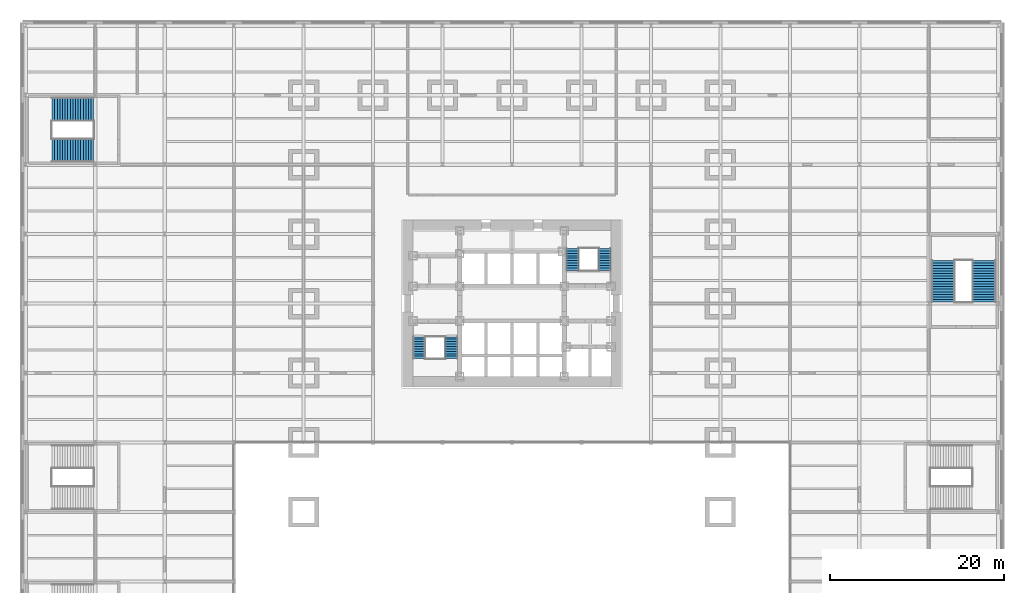
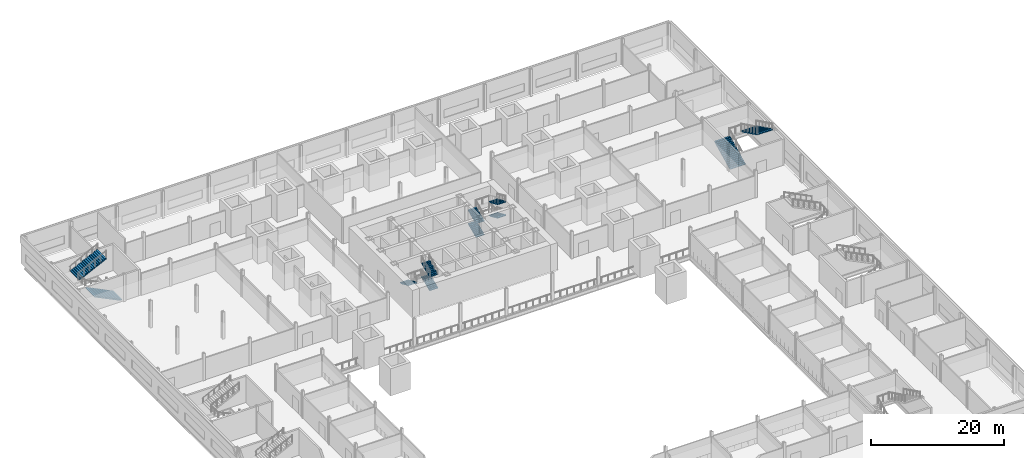
# One storey, part 17 of 22: 11 stair flights, 4 elements without a shape of their own.
"""IFC4 building model written with IfcOpenShell, lengths in metres."""

from ifc_helpers import new_model, si_unit, direction, frame, origin, place, context, subcontext, project, spatial, polyline, outline, extrude, material, type_object, element, aggregate, save


model = new_model("IFC4")

# Units and contexts
model_context = context("Model", 3, precision=1e-05, world=origin(), true_north=direction((0.0, 1.0)))
body_context = subcontext(model_context, "Body", "Model", "MODEL_VIEW")
ifc_project = project(units=[si_unit("LENGTHUNIT", "METRE"), si_unit("AREAUNIT", "SQUARE_METRE"), si_unit("VOLUMEUNIT", "CUBIC_METRE"), si_unit("PLANEANGLEUNIT", "RADIAN"), si_unit("MASSUNIT", "GRAM", prefix="KILO")], contexts=[model_context])

# Site, building, storey
site_placement = place(None, origin())
site = spatial("IfcSite", under=ifc_project, at=site_placement, CompositionType="ELEMENT")
building_placement = place(site_placement, origin())
building = spatial("IfcBuilding", under=site, at=building_placement, Name="Daluyong Arena Tower", CompositionType="ELEMENT")
storey_placement = place(building_placement, frame((0.0, 0.0, 9.89990234375)))
storey = spatial("IfcBuildingStorey", under=building, at=storey_placement, Name="L02", CompositionType="ELEMENT", Elevation=9.89990234375)

# Stair, stair flights
ifc_material_1 = material(Name="Concrete fc' 35 MPa", Category="concrete")
stair_type_1 = type_object("IfcStairType", Name="Core exit stair", PredefinedType="HALF_TURN_STAIR", material=ifc_material_1)
stair_1_placement = place(storey_placement, origin())
stair_1 = element("IfcStair", 1, at=stair_1_placement, inside=storey, type_object=stair_type_1, Name="exit stair A L02", PredefinedType="HALF_TURN_STAIR")
ifc_material_2 = material(Name="Concrete fc' 35 MPa", Category="concrete")
stair_flight_type_1 = type_object("IfcStairFlightType", Name="Core stair flight", PredefinedType="STRAIGHT", material=ifc_material_2)
stair_flight_1_placement = place(storey_placement, frame((49.02490234375, 73.655029296875, 1.25), z_axis=(0.0, 0.0, 1.0), x_axis=(0.0, 1.0, 0.0)))
stair_flight_1 = element("IfcStairFlight", 2, at=stair_flight_1_placement, type_object=stair_flight_type_1, Name="STA flight 2", NumberOfRisers=10, NumberOfTreads=9, PredefinedType="STRAIGHT", RiserHeight=0.125, TreadLength=0.28, context=body_context, shape_type="SweptSolid", body=[
    extrude(outline(polyline([(0.0, 0.0), (0.0, 0.125), (0.280029296875, 0.125), (0.280029296875, 0.25), (0.56005859375, 0.25), (0.56005859375, 0.375), (0.840087890625, 0.375), (0.840087890625, 0.5), (1.1201171875, 0.5), (1.1201171875, 0.625), (1.39990234375, 0.625), (1.39990234375, 0.75), (1.679931640625, 0.75), (1.679931640625, 0.875), (1.9599609375, 0.875), (1.9599609375, 1.0), (2.239990234375, 1.0), (2.239990234375, 1.125), (2.52001953125, 1.125), (2.52001953125, 1.25), (2.52001953125, 0.9609375), (0.36767578125, 0.0), (0.0, 0.0)])), frame((0.0, 0.72509765625, 0.0), z_axis=(0.0, -1.0, 0.0), x_axis=(1.0, 0.0, 0.0)), (0.0, 0.0, 1.0), 1.449951171875),
])
stair_flight_2_placement = place(storey_placement, frame((45.324951171875, 76.175048828125, 2.5), z_axis=(0.0, 0.0, 1.0), x_axis=(0.0, -1.0, 0.0)))
stair_flight_2 = element("IfcStairFlight", 3, at=stair_flight_2_placement, type_object=stair_flight_type_1, Name="STA flight 3", NumberOfRisers=10, NumberOfTreads=9, PredefinedType="STRAIGHT", RiserHeight=0.125, TreadLength=0.28, context=body_context, shape_type="SweptSolid", body=[
    extrude(outline(polyline([(0.0, 0.0), (0.0, 0.125), (0.280029296875, 0.125), (0.280029296875, 0.25), (0.56005859375, 0.25), (0.56005859375, 0.375), (0.840087890625, 0.375), (0.840087890625, 0.5), (1.1201171875, 0.5), (1.1201171875, 0.625), (1.39990234375, 0.625), (1.39990234375, 0.75), (1.679931640625, 0.75), (1.679931640625, 0.875), (1.9599609375, 0.875), (1.9599609375, 1.0), (2.239990234375, 1.0), (2.239990234375, 1.125), (2.52001953125, 1.125), (2.52001953125, 1.25), (2.52001953125, 0.9609375), (0.36767578125, 0.0), (0.0, 0.0)])), frame((0.0, 0.72509765625, 0.0), z_axis=(0.0, -1.0, 0.0), x_axis=(1.0, 0.0, 0.0)), (0.0, 0.0, 1.0), 1.449951171875),
])
stair_flight_3_placement = place(storey_placement, frame((49.02490234375, 73.655029296875, 3.75), z_axis=(0.0, 0.0, 1.0), x_axis=(0.0, 1.0, 0.0)))
stair_flight_3 = element("IfcStairFlight", 4, at=stair_flight_3_placement, type_object=stair_flight_type_1, Name="STA flight 4", NumberOfRisers=10, NumberOfTreads=9, PredefinedType="STRAIGHT", RiserHeight=0.125, TreadLength=0.28, context=body_context, shape_type="SweptSolid", body=[
    extrude(outline(polyline([(0.0, 0.0), (0.0, 0.125), (0.280029296875, 0.125), (0.280029296875, 0.25), (0.56005859375, 0.25), (0.56005859375, 0.375), (0.840087890625, 0.375), (0.840087890625, 0.5), (1.1201171875, 0.5), (1.1201171875, 0.625), (1.39990234375, 0.625), (1.39990234375, 0.75), (1.679931640625, 0.75), (1.679931640625, 0.875), (1.9599609375, 0.875), (1.9599609375, 1.0), (2.239990234375, 1.0), (2.239990234375, 1.125), (2.52001953125, 1.125), (2.52001953125, 1.25), (2.52001953125, 0.9609375), (0.36767578125, 0.0), (0.0, 0.0)])), frame((0.0, 0.72509765625, 0.0), z_axis=(0.0, -1.0, 0.0), x_axis=(1.0, 0.0, 0.0)), (0.0, 0.0, 1.0), 1.449951171875),
])
aggregate(stair_1, [stair_flight_1, stair_flight_2, stair_flight_3])

stair_2_placement = place(storey_placement, origin())
stair_2 = element("IfcStair", 5, at=stair_2_placement, inside=storey, type_object=stair_type_1, Name="exit stair B L02", PredefinedType="HALF_TURN_STAIR")
stair_flight_4_placement = place(storey_placement, frame((62.97509765625, 83.824951171875, 0.0), z_axis=(0.0, 0.0, 1.0), x_axis=(0.0, 1.0, 0.0)))
stair_flight_4 = element("IfcStairFlight", 6, at=stair_flight_4_placement, type_object=stair_flight_type_1, Name="STB flight 1", NumberOfRisers=10, NumberOfTreads=9, PredefinedType="STRAIGHT", RiserHeight=0.125, TreadLength=0.28, context=body_context, shape_type="SweptSolid", body=[
    extrude(outline(polyline([(0.0, 0.0), (0.0, 0.125), (0.280029296875, 0.125), (0.280029296875, 0.25), (0.56005859375, 0.25), (0.56005859375, 0.375), (0.840087890625, 0.375), (0.840087890625, 0.5), (1.1201171875, 0.5), (1.1201171875, 0.625), (1.39990234375, 0.625), (1.39990234375, 0.75), (1.679931640625, 0.75), (1.679931640625, 0.875), (1.9599609375, 0.875), (1.9599609375, 1.0), (2.239990234375, 1.0), (2.239990234375, 1.125), (2.52001953125, 1.125), (2.52001953125, 1.25), (2.52001953125, 0.9609375), (0.36767578125, 0.0), (0.0, 0.0)])), frame((0.0, 0.72509765625, 0.0), z_axis=(0.0, -1.0, 0.0), x_axis=(1.0, 0.0, 0.0)), (0.0, 0.0, 1.0), 1.449951171875),
])
stair_flight_5_placement = place(storey_placement, frame((66.675048828125, 86.344970703125, 1.25), z_axis=(0.0, 0.0, 1.0), x_axis=(0.0, -1.0, 0.0)))
stair_flight_5 = element("IfcStairFlight", 7, at=stair_flight_5_placement, type_object=stair_flight_type_1, Name="STB flight 2", NumberOfRisers=10, NumberOfTreads=9, PredefinedType="STRAIGHT", RiserHeight=0.125, TreadLength=0.28, context=body_context, shape_type="SweptSolid", body=[
    extrude(outline(polyline([(0.0, 0.0), (0.0, 0.125), (0.280029296875, 0.125), (0.280029296875, 0.25), (0.56005859375, 0.25), (0.56005859375, 0.375), (0.840087890625, 0.375), (0.840087890625, 0.5), (1.1201171875, 0.5), (1.1201171875, 0.625), (1.39990234375, 0.625), (1.39990234375, 0.75), (1.679931640625, 0.75), (1.679931640625, 0.875), (1.9599609375, 0.875), (1.9599609375, 1.0), (2.239990234375, 1.0), (2.239990234375, 1.125), (2.52001953125, 1.125), (2.52001953125, 1.25), (2.52001953125, 0.9609375), (0.36767578125, 0.0), (0.0, 0.0)])), frame((0.0, 0.72509765625, 0.0), z_axis=(0.0, -1.0, 0.0), x_axis=(1.0, 0.0, 0.0)), (0.0, 0.0, 1.0), 1.449951171875),
])
stair_flight_6_placement = place(storey_placement, frame((62.97509765625, 83.824951171875, 2.5), z_axis=(0.0, 0.0, 1.0), x_axis=(0.0, 1.0, 0.0)))
stair_flight_6 = element("IfcStairFlight", 8, at=stair_flight_6_placement, type_object=stair_flight_type_1, Name="STB flight 3", NumberOfRisers=10, NumberOfTreads=9, PredefinedType="STRAIGHT", RiserHeight=0.125, TreadLength=0.28, context=body_context, shape_type="SweptSolid", body=[
    extrude(outline(polyline([(0.0, 0.0), (0.0, 0.125), (0.280029296875, 0.125), (0.280029296875, 0.25), (0.56005859375, 0.25), (0.56005859375, 0.375), (0.840087890625, 0.375), (0.840087890625, 0.5), (1.1201171875, 0.5), (1.1201171875, 0.625), (1.39990234375, 0.625), (1.39990234375, 0.75), (1.679931640625, 0.75), (1.679931640625, 0.875), (1.9599609375, 0.875), (1.9599609375, 1.0), (2.239990234375, 1.0), (2.239990234375, 1.125), (2.52001953125, 1.125), (2.52001953125, 1.25), (2.52001953125, 0.9609375), (0.36767578125, 0.0), (0.0, 0.0)])), frame((0.0, 0.72509765625, 0.0), z_axis=(0.0, -1.0, 0.0), x_axis=(1.0, 0.0, 0.0)), (0.0, 0.0, 1.0), 1.449951171875),
])
stair_flight_7_placement = place(storey_placement, frame((66.675048828125, 86.344970703125, 3.75), z_axis=(0.0, 0.0, 1.0), x_axis=(0.0, -1.0, 0.0)))
stair_flight_7 = element("IfcStairFlight", 9, at=stair_flight_7_placement, type_object=stair_flight_type_1, Name="STB flight 4", NumberOfRisers=10, NumberOfTreads=9, PredefinedType="STRAIGHT", RiserHeight=0.125, TreadLength=0.28, context=body_context, shape_type="SweptSolid", body=[
    extrude(outline(polyline([(0.0, 0.0), (0.0, 0.125), (0.280029296875, 0.125), (0.280029296875, 0.25), (0.56005859375, 0.25), (0.56005859375, 0.375), (0.840087890625, 0.375), (0.840087890625, 0.5), (1.1201171875, 0.5), (1.1201171875, 0.625), (1.39990234375, 0.625), (1.39990234375, 0.75), (1.679931640625, 0.75), (1.679931640625, 0.875), (1.9599609375, 0.875), (1.9599609375, 1.0), (2.239990234375, 1.0), (2.239990234375, 1.125), (2.52001953125, 1.125), (2.52001953125, 1.25), (2.52001953125, 0.9609375), (0.36767578125, 0.0), (0.0, 0.0)])), frame((0.0, 0.72509765625, 0.0), z_axis=(0.0, -1.0, 0.0), x_axis=(1.0, 0.0, 0.0)), (0.0, 0.0, 1.0), 1.449951171875),
])
aggregate(stair_2, [stair_flight_4, stair_flight_5, stair_flight_6, stair_flight_7])

ifc_material_3 = material(Name="Concrete fc' 35 MPa", Category="concrete")
stair_type_2 = type_object("IfcStairType", Name="Podium exit stair", PredefinedType="HALF_TURN_STAIR", material=ifc_material_3)
stair_3_placement = place(storey_placement, origin())
stair_3 = element("IfcStair", 10, at=stair_3_placement, inside=storey, type_object=stair_type_2, Name="exit stair PS5 L02", PredefinedType="HALF_TURN_STAIR")
ifc_material_4 = material(Name="Concrete fc' 35 MPa", Category="concrete")
stair_flight_type_2 = type_object("IfcStairFlightType", Name="Podium stair flight", PredefinedType="STRAIGHT", material=ifc_material_4)
stair_flight_8_placement = place(storey_placement, frame((7.840087890625, 97.64990234375, 0.0), z_axis=(0.0, 0.0, 1.0), x_axis=(-1.0, 0.0, 0.0)))
stair_flight_8 = element("IfcStairFlight", 11, at=stair_flight_8_placement, type_object=stair_flight_type_2, Name="PS5 flight 1", NumberOfRisers=17, NumberOfTreads=16, PredefinedType="STRAIGHT", RiserHeight=0.147058824, TreadLength=0.3, context=body_context, shape_type="SweptSolid", body=[
    extrude(outline(polyline([(0.0, 0.0), (0.0, 0.14697265625), (0.300048828125, 0.14697265625), (0.300048828125, 0.294189453125), (0.60009765625, 0.294189453125), (0.60009765625, 0.441162109375), (0.89990234375, 0.441162109375), (0.89990234375, 0.588134765625), (1.199951171875, 0.588134765625), (1.199951171875, 0.7353515625), (1.5, 0.7353515625), (1.5, 0.88232421875), (1.800048828125, 0.88232421875), (1.800048828125, 1.029296875), (2.10009765625, 1.029296875), (2.10009765625, 1.176513671875), (2.39990234375, 1.176513671875), (2.39990234375, 1.323486328125), (2.699951171875, 1.323486328125), (2.699951171875, 1.470703125), (3.0, 1.470703125), (3.0, 1.61767578125), (3.300048828125, 1.61767578125), (3.300048828125, 1.7646484375), (3.60009765625, 1.7646484375), (3.60009765625, 1.911865234375), (3.89990234375, 1.911865234375), (3.89990234375, 2.058837890625), (4.199951171875, 2.058837890625), (4.199951171875, 2.205810546875), (4.5, 2.205810546875), (4.5, 2.35302734375), (4.800048828125, 2.35302734375), (4.800048828125, 2.5), (4.800048828125, 2.18603515625), (0.340576171875, 0.0), (0.0, 0.0)])), frame((0.0, 1.35009765625, 0.0), z_axis=(0.0, -1.0, 0.0), x_axis=(1.0, 0.0, 0.0)), (0.0, 0.0, 1.0), 2.699951171875),
])
stair_flight_9_placement = place(storey_placement, frame((3.0400390625, 102.35009765625, 2.5), z_axis=(0.0, 0.0, 1.0), x_axis=(1.0, 0.0, 0.0)))
stair_flight_9 = element("IfcStairFlight", 12, at=stair_flight_9_placement, type_object=stair_flight_type_2, Name="PS5 flight 2", NumberOfRisers=17, NumberOfTreads=16, PredefinedType="STRAIGHT", RiserHeight=0.147058824, TreadLength=0.3, context=body_context, shape_type="SweptSolid", body=[
    extrude(outline(polyline([(0.0, 0.0), (0.0, 0.14697265625), (0.300048828125, 0.14697265625), (0.300048828125, 0.294189453125), (0.60009765625, 0.294189453125), (0.60009765625, 0.441162109375), (0.89990234375, 0.441162109375), (0.89990234375, 0.588134765625), (1.199951171875, 0.588134765625), (1.199951171875, 0.7353515625), (1.5, 0.7353515625), (1.5, 0.88232421875), (1.800048828125, 0.88232421875), (1.800048828125, 1.029296875), (2.10009765625, 1.029296875), (2.10009765625, 1.176513671875), (2.39990234375, 1.176513671875), (2.39990234375, 1.323486328125), (2.699951171875, 1.323486328125), (2.699951171875, 1.470703125), (3.0, 1.470703125), (3.0, 1.61767578125), (3.300048828125, 1.61767578125), (3.300048828125, 1.7646484375), (3.60009765625, 1.7646484375), (3.60009765625, 1.911865234375), (3.89990234375, 1.911865234375), (3.89990234375, 2.058837890625), (4.199951171875, 2.058837890625), (4.199951171875, 2.205810546875), (4.5, 2.205810546875), (4.5, 2.35302734375), (4.800048828125, 2.35302734375), (4.800048828125, 2.5), (4.800048828125, 2.18603515625), (0.340576171875, 0.0), (0.0, 0.0)])), frame((0.0, 1.35009765625, 0.0), z_axis=(0.0, -1.0, 0.0), x_axis=(1.0, 0.0, 0.0)), (0.0, 0.0, 1.0), 2.699951171875),
])
aggregate(stair_3, [stair_flight_8, stair_flight_9])

stair_4_placement = place(storey_placement, origin())
stair_4 = element("IfcStair", 13, at=stair_4_placement, inside=storey, type_object=stair_type_2, Name="exit stair PS6 L02", PredefinedType="HALF_TURN_STAIR")
stair_flight_10_placement = place(storey_placement, frame((105.64990234375, 80.159912109375, 0.0), z_axis=(0.0, 0.0, 1.0), x_axis=(0.0, 1.0, 0.0)))
stair_flight_10 = element("IfcStairFlight", 14, at=stair_flight_10_placement, type_object=stair_flight_type_2, Name="PS6 flight 1", NumberOfRisers=17, NumberOfTreads=16, PredefinedType="STRAIGHT", RiserHeight=0.147058824, TreadLength=0.3, context=body_context, shape_type="SweptSolid", body=[
    extrude(outline(polyline([(0.0, 0.0), (0.0, 0.14697265625), (0.300048828125, 0.14697265625), (0.300048828125, 0.294189453125), (0.60009765625, 0.294189453125), (0.60009765625, 0.441162109375), (0.89990234375, 0.441162109375), (0.89990234375, 0.588134765625), (1.199951171875, 0.588134765625), (1.199951171875, 0.7353515625), (1.5, 0.7353515625), (1.5, 0.88232421875), (1.800048828125, 0.88232421875), (1.800048828125, 1.029296875), (2.10009765625, 1.029296875), (2.10009765625, 1.176513671875), (2.39990234375, 1.176513671875), (2.39990234375, 1.323486328125), (2.699951171875, 1.323486328125), (2.699951171875, 1.470703125), (3.0, 1.470703125), (3.0, 1.61767578125), (3.300048828125, 1.61767578125), (3.300048828125, 1.7646484375), (3.60009765625, 1.7646484375), (3.60009765625, 1.911865234375), (3.89990234375, 1.911865234375), (3.89990234375, 2.058837890625), (4.199951171875, 2.058837890625), (4.199951171875, 2.205810546875), (4.5, 2.205810546875), (4.5, 2.35302734375), (4.800048828125, 2.35302734375), (4.800048828125, 2.5), (4.800048828125, 2.18603515625), (0.340576171875, 0.0), (0.0, 0.0)])), frame((0.0, 1.35009765625, 0.0), z_axis=(0.0, -1.0, 0.0), x_axis=(1.0, 0.0, 0.0)), (0.0, 0.0, 1.0), 2.699951171875),
])
stair_flight_11_placement = place(storey_placement, frame((110.35009765625, 84.9599609375, 2.5), z_axis=(0.0, 0.0, 1.0), x_axis=(0.0, -1.0, 0.0)))
stair_flight_11 = element("IfcStairFlight", 15, at=stair_flight_11_placement, type_object=stair_flight_type_2, Name="PS6 flight 2", NumberOfRisers=17, NumberOfTreads=16, PredefinedType="STRAIGHT", RiserHeight=0.147058824, TreadLength=0.3, context=body_context, shape_type="SweptSolid", body=[
    extrude(outline(polyline([(0.0, 0.0), (0.0, 0.14697265625), (0.300048828125, 0.14697265625), (0.300048828125, 0.294189453125), (0.60009765625, 0.294189453125), (0.60009765625, 0.441162109375), (0.89990234375, 0.441162109375), (0.89990234375, 0.588134765625), (1.199951171875, 0.588134765625), (1.199951171875, 0.7353515625), (1.5, 0.7353515625), (1.5, 0.88232421875), (1.800048828125, 0.88232421875), (1.800048828125, 1.029296875), (2.10009765625, 1.029296875), (2.10009765625, 1.176513671875), (2.39990234375, 1.176513671875), (2.39990234375, 1.323486328125), (2.699951171875, 1.323486328125), (2.699951171875, 1.470703125), (3.0, 1.470703125), (3.0, 1.61767578125), (3.300048828125, 1.61767578125), (3.300048828125, 1.7646484375), (3.60009765625, 1.7646484375), (3.60009765625, 1.911865234375), (3.89990234375, 1.911865234375), (3.89990234375, 2.058837890625), (4.199951171875, 2.058837890625), (4.199951171875, 2.205810546875), (4.5, 2.205810546875), (4.5, 2.35302734375), (4.800048828125, 2.35302734375), (4.800048828125, 2.5), (4.800048828125, 2.18603515625), (0.340576171875, 0.0), (0.0, 0.0)])), frame((0.0, 1.35009765625, 0.0), z_axis=(0.0, -1.0, 0.0), x_axis=(1.0, 0.0, 0.0)), (0.0, 0.0, 1.0), 2.699951171875),
])
aggregate(stair_4, [stair_flight_10, stair_flight_11])

save(model, "model.ifc")
